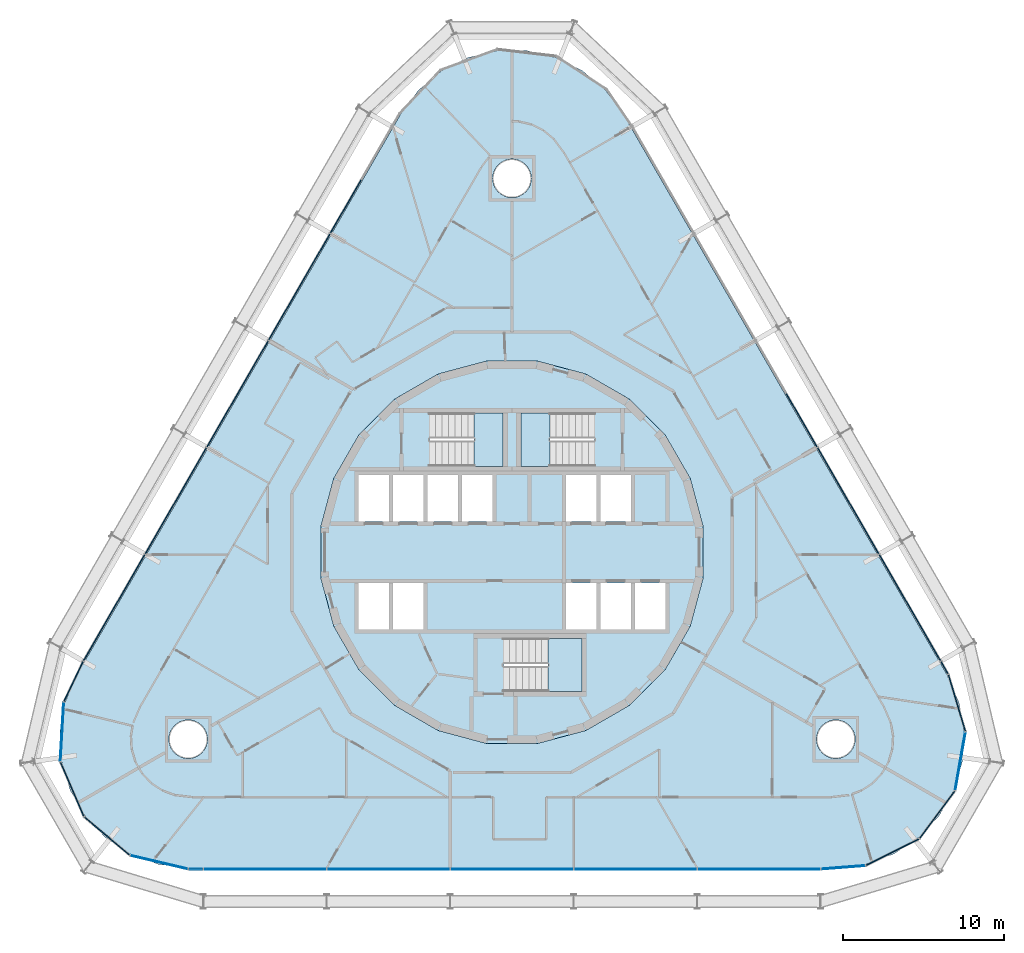
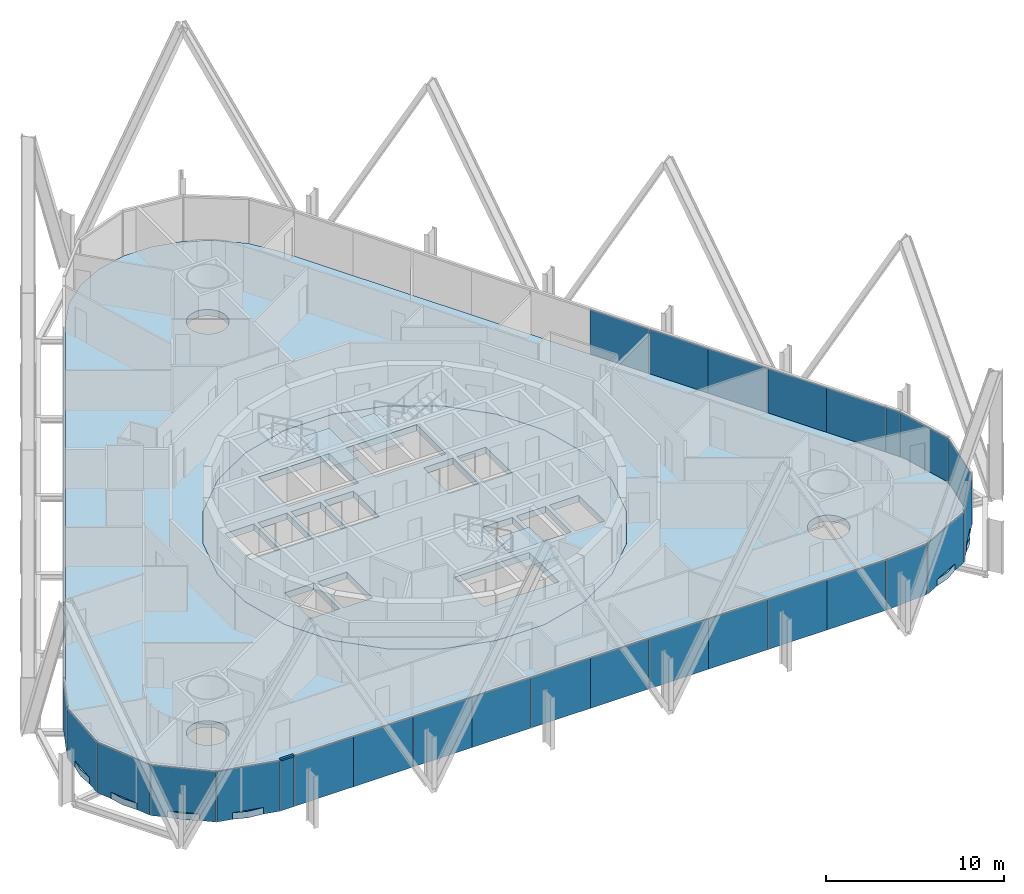
# One storey, part 13 of 21: 36 plates, 5 slabs, 1 member, 8 elements without a shape of their own.
"""IFC4 building model written with IfcOpenShell, lengths in metres."""

from ifc_helpers import new_model, si_unit, direction, frame, origin, origin_2d, place, context, subcontext, project, spatial, polyline, rectangle, outline, extrude, material, layer, layer_set, material_profile, profile_set, type_object, element, aggregate, save


model = new_model("IFC4")

# Units and contexts
model_context = context("Model", 3, precision=1e-05, world=origin(), true_north=direction((0.0, 1.0)))
body_context = subcontext(model_context, "Body", "Model", "MODEL_VIEW")
ifc_project = project(units=[si_unit("LENGTHUNIT", "METRE"), si_unit("AREAUNIT", "SQUARE_METRE"), si_unit("VOLUMEUNIT", "CUBIC_METRE"), si_unit("PLANEANGLEUNIT", "RADIAN"), si_unit("MASSUNIT", "GRAM", prefix="KILO")], contexts=[model_context])

# Site, building, storey
site_placement = place(None, origin())
site = spatial("IfcSite", under=ifc_project, at=site_placement, CompositionType="ELEMENT")
building_placement = place(site_placement, origin())
building = spatial("IfcBuilding", under=site, at=building_placement, Name="Spindle Arch Residences", CompositionType="ELEMENT")
storey_placement = place(building_placement, frame((0.0, 0.0, 38.39990234375)))
storey = spatial("IfcBuildingStorey", under=building, at=storey_placement, Name="L07", CompositionType="ELEMENT", Elevation=38.39990234375)

# Curtain wall, member
ifc_material_1 = material(Name="Aluminium bronze unitised frame with tinted glass", Category="aluminium")
ifc_layer_1 = layer(ifc_material_1, 0.159912109375)
ifc_layer_set_1 = layer_set([ifc_layer_1], Name="CW-D corner wall on the fillet arcs")
curtain_wall_type_1 = type_object("IfcCurtainWallType", Name="CW-D corner wall on the fillet arcs", PredefinedType="NOTDEFINED", material=ifc_layer_set_1)
curtain_wall_1_placement = place(storey_placement, origin())
curtain_wall_1 = element("IfcCurtainWall", 1, at=curtain_wall_1_placement, inside=storey, type_object=curtain_wall_type_1, Name="CW-D L07 run 5", PredefinedType="NOTDEFINED")
ifc_material_2 = material(Name="Aluminium bronze anodised transom", Category="aluminium")
ifc_material_profile = material_profile(ifc_material_2, rectangle(XDim=0.159912109375, YDim=0.1201171875, at=origin_2d()), Name="TR 120x160")
ifc_profile_set = profile_set([ifc_material_profile], Name="Aluminium bronze anodised transom")
member_type = type_object("IfcMemberType", Name="Bronze transom 120x160", PredefinedType="USERDEFINED", material=ifc_profile_set)
member_placement = place(storey_placement, frame((-20.113525390625, -19.7099609375, 3.06005859375), z_axis=(1.0, 0.0, 0.0), x_axis=(0.0, 1.0, 0.0)))
member = element("IfcMember", 2, at=member_placement, type_object=member_type, Name="CW-D transom 05", ObjectType="TRANSOM", PredefinedType="USERDEFINED", context=body_context, shape_type="SweptSolid", body=[
    extrude(rectangle(XDim=0.159912109375, YDim=0.1201171875, at=origin_2d()), origin(), (0.0, 0.0, 1.0), 0.88330078125),
])

# Slabs
ifc_material_3 = material(Name="Concrete C40/50", Category="concrete")
ifc_layer_2 = layer(ifc_material_3, 0.449951171875)
ifc_layer_set_2 = layer_set([ifc_layer_2], Name="Compartment floor slab 450")
slab_type_1 = type_object("IfcSlabType", Name="Compartment floor slab 450", PredefinedType="FLOOR", material=ifc_layer_set_2)
slab_1_placement = place(storey_placement, frame((0.0, 0.0, -0.449951171875)))
element("IfcSlab", 3, at=slab_1_placement, inside=storey, type_object=slab_type_1, Name="Floor slab L07", PredefinedType="FLOOR", context=body_context, shape_type="SweptSolid", body=[
    extrude(outline(polyline([(-21.988525390625, -19.414306640625), (-23.73388671875, -18.779052734375), (-25.285888671875, -17.75830078125), (-26.560546875, -16.4072265625), (-27.4892578125, -14.798583984375), (-28.022216796875, -13.01904296875), (-28.130126953125, -11.164794921875), (-27.8076171875, -9.33544921875), (-27.07177734375, -7.6298828125), (-6.92822265625, 27.259765625), (-5.819091796875, 28.749755859375), (-4.39599609375, 29.943603515625), (-2.736083984375, 30.77734375), (-0.9287109375, 31.205810546875), (0.9287109375, 31.205810546875), (2.736083984375, 30.77734375), (4.39599609375, 29.943603515625), (5.819091796875, 28.749755859375), (6.92822265625, 27.259765625), (27.07177734375, -7.6298828125), (27.8076171875, -9.33544921875), (28.130126953125, -11.164794921875), (28.022216796875, -13.01904296875), (27.4892578125, -14.798583984375), (26.560546875, -16.4072265625), (25.285888671875, -17.75830078125), (23.73388671875, -18.779052734375), (21.988525390625, -19.414306640625), (20.1435546875, -19.6298828125), (0.0, -19.6298828125), (-20.1435546875, -19.6298828125), (-21.988525390625, -19.414306640625)]), holes=[polyline([(7.30517578125, -9.520263671875), (9.520263671875, -7.30517578125), (11.086669921875, -4.59228515625), (11.897216796875, -1.56640625), (11.897216796875, 1.56640625), (11.086669921875, 4.59228515625), (9.520263671875, 7.30517578125), (7.30517578125, 9.520263671875), (4.59228515625, 11.086669921875), (1.56640625, 11.897216796875), (-1.56640625, 11.897216796875), (-4.59228515625, 11.086669921875), (-7.30517578125, 9.520263671875), (-9.520263671875, 7.30517578125), (-11.086669921875, 4.59228515625), (-11.897216796875, 1.56640625), (-11.897216796875, -1.56640625), (-11.086669921875, -4.59228515625), (-9.520263671875, -7.30517578125), (-7.30517578125, -9.520263671875), (-4.59228515625, -11.086669921875), (-1.56640625, -11.897216796875), (1.56640625, -11.897216796875), (4.59228515625, -11.086669921875), (7.30517578125, -9.520263671875)]), polyline([(-19.295166015625, -12.478515625), (-19.145751953125, -12.296630859375), (-19.034912109375, -12.089111328125), (-18.966796875, -11.864013671875), (-18.943603515625, -11.6298828125), (-18.966796875, -11.395751953125), (-19.034912109375, -11.170654296875), (-19.145751953125, -10.963134765625), (-19.295166015625, -10.781494140625), (-19.476806640625, -10.632080078125), (-19.684326171875, -10.521240234375), (-19.909423828125, -10.452880859375), (-20.1435546875, -10.429931640625), (-20.377685546875, -10.452880859375), (-20.602783203125, -10.521240234375), (-20.810302734375, -10.632080078125), (-20.9921875, -10.781494140625), (-21.141357421875, -10.963134765625), (-21.252197265625, -11.170654296875), (-21.320556640625, -11.395751953125), (-21.343505859375, -11.6298828125), (-21.320556640625, -11.864013671875), (-21.252197265625, -12.089111328125), (-21.141357421875, -12.296630859375), (-20.9921875, -12.478515625), (-20.810302734375, -12.627685546875), (-20.602783203125, -12.738525390625), (-20.377685546875, -12.806884765625), (-20.1435546875, -12.829833984375), (-19.909423828125, -12.806884765625), (-19.684326171875, -12.738525390625), (-19.476806640625, -12.627685546875), (-19.295166015625, -12.478515625)]), polyline([(0.848388671875, 22.411376953125), (0.997802734375, 22.593017578125), (1.108642578125, 22.800537109375), (1.177001953125, 23.025634765625), (1.199951171875, 23.259765625), (1.177001953125, 23.493896484375), (1.108642578125, 23.718994140625), (0.997802734375, 23.926513671875), (0.848388671875, 24.1083984375), (0.666748046875, 24.257568359375), (0.459228515625, 24.368408203125), (0.234130859375, 24.436767578125), (0.0, 24.459716796875), (-0.234130859375, 24.436767578125), (-0.459228515625, 24.368408203125), (-0.666748046875, 24.257568359375), (-0.848388671875, 24.1083984375), (-0.997802734375, 23.926513671875), (-1.108642578125, 23.718994140625), (-1.177001953125, 23.493896484375), (-1.199951171875, 23.259765625), (-1.177001953125, 23.025634765625), (-1.108642578125, 22.800537109375), (-0.997802734375, 22.593017578125), (-0.848388671875, 22.411376953125), (-0.666748046875, 22.261962890625), (-0.459228515625, 22.151123046875), (-0.234130859375, 22.0830078125), (0.0, 22.059814453125), (0.234130859375, 22.0830078125), (0.459228515625, 22.151123046875), (0.666748046875, 22.261962890625), (0.848388671875, 22.411376953125)]), polyline([(20.9921875, -12.478515625), (21.141357421875, -12.296630859375), (21.252197265625, -12.089111328125), (21.320556640625, -11.864013671875), (21.343505859375, -11.6298828125), (21.320556640625, -11.395751953125), (21.252197265625, -11.170654296875), (21.141357421875, -10.963134765625), (20.9921875, -10.781494140625), (20.810302734375, -10.632080078125), (20.602783203125, -10.521240234375), (20.377685546875, -10.452880859375), (20.1435546875, -10.429931640625), (19.909423828125, -10.452880859375), (19.684326171875, -10.521240234375), (19.476806640625, -10.632080078125), (19.295166015625, -10.781494140625), (19.145751953125, -10.963134765625), (19.034912109375, -11.170654296875), (18.966796875, -11.395751953125), (18.943603515625, -11.6298828125), (18.966796875, -11.864013671875), (19.034912109375, -12.089111328125), (19.145751953125, -12.296630859375), (19.295166015625, -12.478515625), (19.476806640625, -12.627685546875), (19.684326171875, -12.738525390625), (19.909423828125, -12.806884765625), (20.1435546875, -12.829833984375), (20.377685546875, -12.806884765625), (20.602783203125, -12.738525390625), (20.810302734375, -12.627685546875), (20.9921875, -12.478515625)])]), origin(), (0.0, 0.0, 1.0), 0.449951171875),
])
ifc_material_4 = material(Name="Concrete C50/60", Category="concrete")
ifc_layer_3 = layer(ifc_material_4, 0.449951171875)
ifc_layer_set_3 = layer_set([ifc_layer_3], Name="Core floor slab 450")
slab_type_2 = type_object("IfcSlabType", Name="Core floor slab 450", PredefinedType="FLOOR", material=ifc_layer_set_3)
slab_2_placement = place(storey_placement, frame((0.0, 0.0, -0.449951171875)))
element("IfcSlab", 4, at=slab_2_placement, inside=storey, type_object=slab_type_2, Name="Core floor L07", PredefinedType="FLOOR", context=body_context, shape_type="SweptSolid", body=[
    extrude(outline(polyline([(1.56640625, -11.897216796875), (4.59228515625, -11.086669921875), (7.30517578125, -9.520263671875), (9.520263671875, -7.30517578125), (11.086669921875, -4.59228515625), (11.897216796875, -1.56640625), (11.897216796875, 1.56640625), (11.086669921875, 4.59228515625), (9.520263671875, 7.30517578125), (7.30517578125, 9.520263671875), (4.59228515625, 11.086669921875), (1.56640625, 11.897216796875), (-1.56640625, 11.897216796875), (-4.59228515625, 11.086669921875), (-7.30517578125, 9.520263671875), (-9.520263671875, 7.30517578125), (-11.086669921875, 4.59228515625), (-11.897216796875, 1.56640625), (-11.897216796875, -1.56640625), (-11.086669921875, -4.59228515625), (-9.520263671875, -7.30517578125), (-7.30517578125, -9.520263671875), (-4.59228515625, -11.086669921875), (-1.56640625, -11.897216796875), (1.56640625, -11.897216796875)]), holes=[polyline([(-9.550048828125, 1.89990234375), (-7.64990234375, 1.89990234375), (-7.64990234375, 4.800048828125), (-9.550048828125, 4.800048828125), (-9.550048828125, 1.89990234375)]), polyline([(-7.39990234375, 1.89990234375), (-5.5, 1.89990234375), (-5.5, 4.800048828125), (-7.39990234375, 4.800048828125), (-7.39990234375, 1.89990234375)]), polyline([(-5.25, 1.89990234375), (-3.35009765625, 1.89990234375), (-3.35009765625, 4.800048828125), (-5.25, 4.800048828125), (-5.25, 1.89990234375)]), polyline([(-3.10009765625, 1.89990234375), (-1.199951171875, 1.89990234375), (-1.199951171875, 4.800048828125), (-3.10009765625, 4.800048828125), (-3.10009765625, 1.89990234375)]), polyline([(3.35009765625, 1.89990234375), (5.25, 1.89990234375), (5.25, 4.800048828125), (3.35009765625, 4.800048828125), (3.35009765625, 1.89990234375)]), polyline([(5.5, 1.89990234375), (7.39990234375, 1.89990234375), (7.39990234375, 4.800048828125), (5.5, 4.800048828125), (5.5, 1.89990234375)]), polyline([(-9.550048828125, -4.800048828125), (-7.64990234375, -4.800048828125), (-7.64990234375, -1.89990234375), (-9.550048828125, -1.89990234375), (-9.550048828125, -4.800048828125)]), polyline([(-7.39990234375, -4.800048828125), (-5.5, -4.800048828125), (-5.5, -1.89990234375), (-7.39990234375, -1.89990234375), (-7.39990234375, -4.800048828125)]), polyline([(3.35009765625, -4.800048828125), (5.25, -4.800048828125), (5.25, -1.89990234375), (3.35009765625, -1.89990234375), (3.35009765625, -4.800048828125)]), polyline([(5.5, -4.800048828125), (7.39990234375, -4.800048828125), (7.39990234375, -1.89990234375), (5.5, -1.89990234375), (5.5, -4.800048828125)]), polyline([(7.64990234375, -4.800048828125), (9.550048828125, -4.800048828125), (9.550048828125, -1.89990234375), (7.64990234375, -1.89990234375), (7.64990234375, -4.800048828125)]), polyline([(5.1298828125, 8.669921875), (0.550048828125, 8.669921875), (0.550048828125, 5.35009765625), (5.1298828125, 5.35009765625), (5.1298828125, 8.669921875)]), polyline([(-5.1298828125, 5.35009765625), (-0.550048828125, 5.35009765625), (-0.550048828125, 8.669921875), (-5.1298828125, 8.669921875), (-5.1298828125, 5.35009765625)]), polyline([(-0.530029296875, -8.669921875), (4.35009765625, -8.669921875), (4.35009765625, -5.35009765625), (-0.530029296875, -5.35009765625), (-0.530029296875, -8.669921875)])]), origin(), (0.0, 0.0, 1.0), 0.449951171875),
])

# Stair, slab
ifc_material_5 = material(Name="Concrete C50/60", Category="concrete")
stair_type = type_object("IfcStairType", Name="Exit stair 16 risers", PredefinedType="HALF_TURN_STAIR", material=ifc_material_5)
stair_1_placement = place(storey_placement, origin())
stair_1 = element("IfcStair", 5, at=stair_1_placement, inside=storey, type_object=stair_type, Name="L07 Exit stair ST1", PredefinedType="HALF_TURN_STAIR")
ifc_material_6 = material(Name="Concrete C50/60", Category="concrete")
ifc_layer_4 = layer(ifc_material_6, 0.219970703125)
ifc_layer_set_4 = layer_set([ifc_layer_4], Name="Exit stair landing 220")
slab_type_3 = type_object("IfcSlabType", Name="Exit stair landing 220", PredefinedType="LANDING", material=ifc_layer_set_4)
slab_3_placement = place(storey_placement, frame((0.0, 0.0, 1.530029296875)))
slab_3 = element("IfcSlab", 6, at=slab_3_placement, type_object=slab_type_3, Name="ST1 landing 1", PredefinedType="LANDING", context=body_context, shape_type="SweptSolid", body=[
    extrude(outline(polyline([(2.3701171875, 8.669921875), (0.550048828125, 8.669921875), (0.550048828125, 5.35009765625), (2.3701171875, 5.35009765625), (2.3701171875, 8.669921875)])), origin(), (0.0, 0.0, 1.0), 0.219970703125),
])
aggregate(stair_1, [slab_3])

stair_2_placement = place(storey_placement, origin())
stair_2 = element("IfcStair", 7, at=stair_2_placement, inside=storey, type_object=stair_type, Name="L07 Exit stair ST2", PredefinedType="HALF_TURN_STAIR")
slab_4_placement = place(storey_placement, frame((0.0, 0.0, 1.530029296875)))
slab_4 = element("IfcSlab", 8, at=slab_4_placement, type_object=slab_type_3, Name="ST2 landing 1", PredefinedType="LANDING", context=body_context, shape_type="SweptSolid", body=[
    extrude(outline(polyline([(-2.3701171875, 5.35009765625), (-0.550048828125, 5.35009765625), (-0.550048828125, 8.669921875), (-2.3701171875, 8.669921875), (-2.3701171875, 5.35009765625)])), origin(), (0.0, 0.0, 1.0), 0.219970703125),
])
aggregate(stair_2, [slab_4])

stair_3_placement = place(storey_placement, origin())
stair_3 = element("IfcStair", 9, at=stair_3_placement, inside=storey, type_object=stair_type, Name="L07 Exit stair ST3", PredefinedType="HALF_TURN_STAIR")
slab_5_placement = place(storey_placement, frame((0.0, 0.0, 1.530029296875)))
slab_5 = element("IfcSlab", 10, at=slab_5_placement, type_object=slab_type_3, Name="ST3 landing 1", PredefinedType="LANDING", context=body_context, shape_type="SweptSolid", body=[
    extrude(outline(polyline([(2.22998046875, -8.669921875), (4.35009765625, -8.669921875), (4.35009765625, -5.35009765625), (2.22998046875, -5.35009765625), (2.22998046875, -8.669921875)])), origin(), (0.0, 0.0, 1.0), 0.219970703125),
])
aggregate(stair_3, [slab_5])

# Curtain wall, plates
curtain_wall_2_placement = place(storey_placement, origin())
curtain_wall_2 = element("IfcCurtainWall", 11, at=curtain_wall_2_placement, inside=storey, type_object=curtain_wall_type_1, Name="CW-D L07 run 1", PredefinedType="NOTDEFINED")
ifc_material_7 = material(Name="Tinted double glazing over aluminium faced non-combustible spandrel zone (K0)", Category="aluminium")
ifc_layer_5 = layer(ifc_material_7, 0.06005859375)
ifc_layer_set_5 = layer_set([ifc_layer_5], Name="Unitised glass panel with E 60 spandrel zone")
plate_type = type_object("IfcPlateType", Name="Unitised glass panel with E 60 spandrel zone", PredefinedType="CURTAIN_PANEL", material=ifc_layer_set_5)
plate_1_placement = place(storey_placement, frame((20.603515625, -19.60107421875, -0.44970703125), z_axis=(0.0, 0.0, 1.0), x_axis=(0.997002907861, 0.077364085451, 0.0)))
plate_1 = element("IfcPlate", 12, at=plate_1_placement, type_object=plate_type, Name="CW-D unit 00", PredefinedType="CURTAIN_PANEL", context=body_context, shape_type="SweptSolid", body=[
    extrude(rectangle(XDim=2.755126953125, YDim=0.06005859375, at=origin_2d()), origin(), (0.0, 0.0, 1.0), 3.449951171875),
])
plate_2_placement = place(storey_placement, frame((23.672119140625, -18.65576171875, -0.44970703125), z_axis=(0.0, 0.0, 1.0), x_axis=(0.893632642326, 0.448799176213, 0.0)))
plate_2 = element("IfcPlate", 13, at=plate_2_placement, type_object=plate_type, Name="CW-D unit 01", PredefinedType="CURTAIN_PANEL", context=body_context, shape_type="SweptSolid", body=[
    extrude(rectangle(XDim=3.666748046875, YDim=0.06005859375, at=origin_2d()), origin(), (0.0, 0.0, 1.0), 3.449951171875),
])
plate_3_placement = place(storey_placement, frame((26.449951171875, -16.324951171875, -0.44970703125), z_axis=(0.0, 0.0, 1.0), x_axis=(0.597158595823, 0.802123189687, 0.0)))
plate_3 = element("IfcPlate", 14, at=plate_3_placement, type_object=plate_type, Name="CW-D unit 02", PredefinedType="CURTAIN_PANEL", context=body_context, shape_type="SweptSolid", body=[
    extrude(rectangle(XDim=3.666748046875, YDim=0.06005859375, at=origin_2d()), origin(), (0.0, 0.0, 1.0), 3.449951171875),
])
plate_4_placement = place(storey_placement, frame((27.88623046875, -12.9951171875, -0.44970703125), z_axis=(0.0, 0.0, 1.0), x_axis=(0.173648181019, 0.984807752421, 0.0)))
plate_4 = element("IfcPlate", 15, at=plate_4_placement, type_object=plate_type, Name="CW-D unit 03", PredefinedType="CURTAIN_PANEL", context=body_context, shape_type="SweptSolid", body=[
    extrude(rectangle(XDim=3.666748046875, YDim=0.06005859375, at=origin_2d()), origin(), (0.0, 0.0, 1.0), 3.449951171875),
])
plate_5_placement = place(storey_placement, frame((27.675537109375, -9.375, -0.44970703125), z_axis=(0.0, 0.0, 1.0), x_axis=(-0.28680323051, 0.957989512975, 0.0)))
plate_5 = element("IfcPlate", 16, at=plate_5_placement, type_object=plate_type, Name="CW-D unit 04", PredefinedType="CURTAIN_PANEL", context=body_context, shape_type="SweptSolid", body=[
    extrude(rectangle(XDim=3.666748046875, YDim=0.06005859375, at=origin_2d()), origin(), (0.0, 0.0, 1.0), 3.449951171875),
])
plate_6_placement = place(storey_placement, frame((26.9052734375, -7.181396484375, -0.44970703125), z_axis=(0.0, 0.0, 1.0), x_axis=(-0.5, 0.866025403784, 0.0)))
plate_6 = element("IfcPlate", 17, at=plate_6_placement, type_object=plate_type, Name="CW-D unit 05", PredefinedType="CURTAIN_PANEL", context=body_context, shape_type="SweptSolid", body=[
    extrude(rectangle(XDim=0.88330078125, YDim=0.06005859375, at=origin_2d()), origin(), (0.0, 0.0, 1.0), 3.449951171875),
])
aggregate(curtain_wall_2, [plate_1, plate_2, plate_3, plate_4, plate_5, plate_6])

ifc_material_8 = material(Name="Aluminium bronze unitised frame with tinted glass", Category="aluminium")
ifc_layer_6 = layer(ifc_material_8, 0.159912109375)
ifc_layer_set_6 = layer_set([ifc_layer_6], Name="CW-C typical residential unitised wall")
curtain_wall_type_2 = type_object("IfcCurtainWallType", Name="CW-C typical residential unitised wall", PredefinedType="NOTDEFINED", material=ifc_layer_set_6)
curtain_wall_3_placement = place(storey_placement, origin())
curtain_wall_3 = element("IfcCurtainWall", 18, at=curtain_wall_3_placement, inside=storey, type_object=curtain_wall_type_2, Name="CW-C L07 run 2", PredefinedType="NOTDEFINED")
plate_7_placement = place(storey_placement, frame((25.701904296875, -5.09716796875, -0.44970703125), z_axis=(0.0, 0.0, 1.0), x_axis=(-0.5, 0.866025403784, 0.0)))
plate_7 = element("IfcPlate", 19, at=plate_7_placement, type_object=plate_type, Name="CW-C unit 05A", PredefinedType="CURTAIN_PANEL", context=body_context, shape_type="SweptSolid", body=[
    extrude(rectangle(XDim=3.81005859375, YDim=0.06005859375, at=origin_2d()), origin(), (0.0, 0.0, 1.0), 3.449951171875),
])
plate_8_placement = place(storey_placement, frame((23.796875, -1.797607421875, -0.44970703125), z_axis=(0.0, 0.0, 1.0), x_axis=(-0.5, 0.866025403784, 0.0)))
plate_8 = element("IfcPlate", 20, at=plate_8_placement, type_object=plate_type, Name="CW-C unit 05B", PredefinedType="CURTAIN_PANEL", context=body_context, shape_type="SweptSolid", body=[
    extrude(rectangle(XDim=3.81005859375, YDim=0.06005859375, at=origin_2d()), origin(), (0.0, 0.0, 1.0), 3.449951171875),
])
plate_9_placement = place(storey_placement, frame((21.86181640625, 1.553955078125, -0.44970703125), z_axis=(0.0, 0.0, 1.0), x_axis=(-0.5, 0.866025403784, 0.0)))
plate_9 = element("IfcPlate", 21, at=plate_9_placement, type_object=plate_type, Name="CW-C unit 06A", PredefinedType="CURTAIN_PANEL", context=body_context, shape_type="SweptSolid", body=[
    extrude(rectangle(XDim=3.81005859375, YDim=0.06005859375, at=origin_2d()), origin(), (0.0, 0.0, 1.0), 3.449951171875),
])
plate_10_placement = place(storey_placement, frame((19.956787109375, 4.853515625, -0.44970703125), z_axis=(0.0, 0.0, 1.0), x_axis=(-0.5, 0.866025403784, 0.0)))
plate_10 = element("IfcPlate", 22, at=plate_10_placement, type_object=plate_type, Name="CW-C unit 06B", PredefinedType="CURTAIN_PANEL", context=body_context, shape_type="SweptSolid", body=[
    extrude(rectangle(XDim=3.81005859375, YDim=0.06005859375, at=origin_2d()), origin(), (0.0, 0.0, 1.0), 3.449951171875),
])
plate_11_placement = place(storey_placement, frame((18.021728515625, 8.205078125, -0.44970703125), z_axis=(0.0, 0.0, 1.0), x_axis=(-0.5, 0.866025403784, 0.0)))
plate_11 = element("IfcPlate", 23, at=plate_11_placement, type_object=plate_type, Name="CW-C unit 07A", PredefinedType="CURTAIN_PANEL", context=body_context, shape_type="SweptSolid", body=[
    extrude(rectangle(XDim=3.81005859375, YDim=0.06005859375, at=origin_2d()), origin(), (0.0, 0.0, 1.0), 3.449951171875),
])
aggregate(curtain_wall_3, [plate_7, plate_8, plate_9, plate_10, plate_11])

curtain_wall_4_placement = place(storey_placement, origin())
curtain_wall_4 = element("IfcCurtainWall", 24, at=curtain_wall_4_placement, inside=storey, type_object=curtain_wall_type_2, Name="CW-C L07 run 4", PredefinedType="NOTDEFINED")
plate_12_placement = place(storey_placement, frame((-10.341796875, 21.50732421875, -0.44970703125), z_axis=(0.0, 0.0, 1.0), x_axis=(-0.5, -0.866025403784, 0.0)))
plate_12 = element("IfcPlate", 25, at=plate_12_placement, type_object=plate_type, Name="CW-C unit 13B", PredefinedType="CURTAIN_PANEL", context=body_context, shape_type="SweptSolid", body=[
    extrude(rectangle(XDim=3.81005859375, YDim=0.06005859375, at=origin_2d()), origin(), (0.0, 0.0, 1.0), 3.449951171875),
])
plate_13_placement = place(storey_placement, frame((-12.27685546875, 18.156005859375, -0.44970703125), z_axis=(0.0, 0.0, 1.0), x_axis=(-0.5, -0.866025403784, 0.0)))
plate_13 = element("IfcPlate", 26, at=plate_13_placement, type_object=plate_type, Name="CW-C unit 14A", PredefinedType="CURTAIN_PANEL", context=body_context, shape_type="SweptSolid", body=[
    extrude(rectangle(XDim=3.81005859375, YDim=0.06005859375, at=origin_2d()), origin(), (0.0, 0.0, 1.0), 3.449951171875),
])
plate_14_placement = place(storey_placement, frame((-14.181640625, 14.856201171875, -0.44970703125), z_axis=(0.0, 0.0, 1.0), x_axis=(-0.5, -0.866025403784, 0.0)))
plate_14 = element("IfcPlate", 27, at=plate_14_placement, type_object=plate_type, Name="CW-C unit 14B", PredefinedType="CURTAIN_PANEL", context=body_context, shape_type="SweptSolid", body=[
    extrude(rectangle(XDim=3.81005859375, YDim=0.06005859375, at=origin_2d()), origin(), (0.0, 0.0, 1.0), 3.449951171875),
])
plate_15_placement = place(storey_placement, frame((-16.11669921875, 11.504638671875, -0.44970703125), z_axis=(0.0, 0.0, 1.0), x_axis=(-0.5, -0.866025403784, 0.0)))
plate_15 = element("IfcPlate", 28, at=plate_15_placement, type_object=plate_type, Name="CW-C unit 15A", PredefinedType="CURTAIN_PANEL", context=body_context, shape_type="SweptSolid", body=[
    extrude(rectangle(XDim=3.81005859375, YDim=0.06005859375, at=origin_2d()), origin(), (0.0, 0.0, 1.0), 3.449951171875),
])
plate_16_placement = place(storey_placement, frame((-18.021728515625, 8.205078125, -0.44970703125), z_axis=(0.0, 0.0, 1.0), x_axis=(-0.5, -0.866025403784, 0.0)))
plate_16 = element("IfcPlate", 29, at=plate_16_placement, type_object=plate_type, Name="CW-C unit 15B", PredefinedType="CURTAIN_PANEL", context=body_context, shape_type="SweptSolid", body=[
    extrude(rectangle(XDim=3.81005859375, YDim=0.06005859375, at=origin_2d()), origin(), (0.0, 0.0, 1.0), 3.449951171875),
])
plate_17_placement = place(storey_placement, frame((-19.956787109375, 4.853515625, -0.44970703125), z_axis=(0.0, 0.0, 1.0), x_axis=(-0.5, -0.866025403784, 0.0)))
plate_17 = element("IfcPlate", 30, at=plate_17_placement, type_object=plate_type, Name="CW-C unit 16A", PredefinedType="CURTAIN_PANEL", context=body_context, shape_type="SweptSolid", body=[
    extrude(rectangle(XDim=3.81005859375, YDim=0.06005859375, at=origin_2d()), origin(), (0.0, 0.0, 1.0), 3.449951171875),
])
plate_18_placement = place(storey_placement, frame((-21.86181640625, 1.553955078125, -0.44970703125), z_axis=(0.0, 0.0, 1.0), x_axis=(-0.5, -0.866025403784, 0.0)))
plate_18 = element("IfcPlate", 31, at=plate_18_placement, type_object=plate_type, Name="CW-C unit 16B", PredefinedType="CURTAIN_PANEL", context=body_context, shape_type="SweptSolid", body=[
    extrude(rectangle(XDim=3.81005859375, YDim=0.06005859375, at=origin_2d()), origin(), (0.0, 0.0, 1.0), 3.449951171875),
])
plate_19_placement = place(storey_placement, frame((-23.796875, -1.797607421875, -0.44970703125), z_axis=(0.0, 0.0, 1.0), x_axis=(-0.5, -0.866025403784, 0.0)))
plate_19 = element("IfcPlate", 32, at=plate_19_placement, type_object=plate_type, Name="CW-C unit 17A", PredefinedType="CURTAIN_PANEL", context=body_context, shape_type="SweptSolid", body=[
    extrude(rectangle(XDim=3.81005859375, YDim=0.06005859375, at=origin_2d()), origin(), (0.0, 0.0, 1.0), 3.449951171875),
])
plate_20_placement = place(storey_placement, frame((-25.701904296875, -5.09716796875, -0.44970703125), z_axis=(0.0, 0.0, 1.0), x_axis=(-0.5, -0.866025403784, 0.0)))
plate_20 = element("IfcPlate", 33, at=plate_20_placement, type_object=plate_type, Name="CW-C unit 17B", PredefinedType="CURTAIN_PANEL", context=body_context, shape_type="SweptSolid", body=[
    extrude(rectangle(XDim=3.81005859375, YDim=0.06005859375, at=origin_2d()), origin(), (0.0, 0.0, 1.0), 3.449951171875),
])
aggregate(curtain_wall_4, [plate_12, plate_13, plate_14, plate_15, plate_16, plate_17, plate_18, plate_19, plate_20])

# Plate
plate_21_placement = place(storey_placement, frame((-27.27685546875, -8.042724609375, -0.44970703125), z_axis=(0.0, 0.0, 1.0), x_axis=(-0.431502189519, -0.902111889092, 0.0)))
plate_21 = element("IfcPlate", 34, at=plate_21_placement, type_object=plate_type, Name="CW-D unit 00", PredefinedType="CURTAIN_PANEL", context=body_context, shape_type="SweptSolid", body=[
    extrude(rectangle(XDim=2.755126953125, YDim=0.06005859375, at=origin_2d()), origin(), (0.0, 0.0, 1.0), 3.449951171875),
])

plate_22_placement = place(storey_placement, frame((-27.992431640625, -11.1728515625, -0.44970703125), z_axis=(0.0, 0.0, 1.0), x_axis=(-0.058144829968, -0.99830815821, 0.0)))
plate_22 = element("IfcPlate", 35, at=plate_22_placement, type_object=plate_type, Name="CW-D unit 01", PredefinedType="CURTAIN_PANEL", context=body_context, shape_type="SweptSolid", body=[
    extrude(rectangle(XDim=3.666748046875, YDim=0.06005859375, at=origin_2d()), origin(), (0.0, 0.0, 1.0), 3.449951171875),
])

plate_23_placement = place(storey_placement, frame((-27.36279296875, -14.743896484375, -0.44970703125), z_axis=(0.0, 0.0, 1.0), x_axis=(0.396079766691, -0.918216106599, 0.0)))
plate_23 = element("IfcPlate", 36, at=plate_23_placement, type_object=plate_type, Name="CW-D unit 02", PredefinedType="CURTAIN_PANEL", context=body_context, shape_type="SweptSolid", body=[
    extrude(rectangle(XDim=3.666748046875, YDim=0.06005859375, at=origin_2d()), origin(), (0.0, 0.0, 1.0), 3.449951171875),
])

plate_24_placement = place(storey_placement, frame((-25.197265625, -17.652587890625, -0.44970703125), z_axis=(0.0, 0.0, 1.0), x_axis=(0.766044445239, -0.64278760716, 0.0)))
plate_24 = element("IfcPlate", 37, at=plate_24_placement, type_object=plate_type, Name="CW-D unit 03", PredefinedType="CURTAIN_PANEL", context=body_context, shape_type="SweptSolid", body=[
    extrude(rectangle(XDim=3.666748046875, YDim=0.06005859375, at=origin_2d()), origin(), (0.0, 0.0, 1.0), 3.449951171875),
])

plate_25_placement = place(storey_placement, frame((-21.956787109375, -19.2802734375, -0.44970703125), z_axis=(0.0, 0.0, 1.0), x_axis=(0.973044871028, -0.230615868852, 0.0)))
plate_25 = element("IfcPlate", 38, at=plate_25_placement, type_object=plate_type, Name="CW-D unit 04", PredefinedType="CURTAIN_PANEL", context=body_context, shape_type="SweptSolid", body=[
    extrude(rectangle(XDim=3.666748046875, YDim=0.06005859375, at=origin_2d()), origin(), (0.0, 0.0, 1.0), 3.449951171875),
])

plate_26_placement = place(storey_placement, frame((-19.671875, -19.7099609375, -0.44970703125), z_axis=(0.0, 0.0, 1.0), x_axis=(1.0, 0.0, 0.0)))
plate_26 = element("IfcPlate", 39, at=plate_26_placement, type_object=plate_type, Name="CW-D unit 05", PredefinedType="CURTAIN_PANEL", context=body_context, shape_type="SweptSolid", body=[
    extrude(rectangle(XDim=0.88330078125, YDim=0.06005859375, at=origin_2d()), origin(), (0.0, 0.0, 1.0), 3.449951171875),
])

aggregate(curtain_wall_1, [plate_21, plate_22, plate_23, plate_24, plate_25, member, plate_26])

# Curtain wall, plates
curtain_wall_5_placement = place(storey_placement, origin())
curtain_wall_5 = element("IfcCurtainWall", 40, at=curtain_wall_5_placement, inside=storey, type_object=curtain_wall_type_2, Name="CW-C L07 run 6", PredefinedType="NOTDEFINED")
plate_27_placement = place(storey_placement, frame((-17.26513671875, -19.7099609375, -0.44970703125), z_axis=(0.0, 0.0, 1.0), x_axis=(1.0, 0.0, 0.0)))
plate_27 = element("IfcPlate", 41, at=plate_27_placement, type_object=plate_type, Name="CW-C unit 21A", PredefinedType="CURTAIN_PANEL", context=body_context, shape_type="SweptSolid", body=[
    extrude(rectangle(XDim=3.81005859375, YDim=0.06005859375, at=origin_2d()), origin(), (0.0, 0.0, 1.0), 3.449951171875),
])
plate_28_placement = place(storey_placement, frame((-13.455078125, -19.7099609375, -0.44970703125), z_axis=(0.0, 0.0, 1.0), x_axis=(1.0, 0.0, 0.0)))
plate_28 = element("IfcPlate", 42, at=plate_28_placement, type_object=plate_type, Name="CW-C unit 21B", PredefinedType="CURTAIN_PANEL", context=body_context, shape_type="SweptSolid", body=[
    extrude(rectangle(XDim=3.81005859375, YDim=0.06005859375, at=origin_2d()), origin(), (0.0, 0.0, 1.0), 3.449951171875),
])
plate_29_placement = place(storey_placement, frame((-9.585205078125, -19.7099609375, -0.44970703125), z_axis=(0.0, 0.0, 1.0), x_axis=(1.0, 0.0, 0.0)))
plate_29 = element("IfcPlate", 43, at=plate_29_placement, type_object=plate_type, Name="CW-C unit 22A", PredefinedType="CURTAIN_PANEL", context=body_context, shape_type="SweptSolid", body=[
    extrude(rectangle(XDim=3.81005859375, YDim=0.06005859375, at=origin_2d()), origin(), (0.0, 0.0, 1.0), 3.449951171875),
])
plate_30_placement = place(storey_placement, frame((-5.775146484375, -19.7099609375, -0.44970703125), z_axis=(0.0, 0.0, 1.0), x_axis=(1.0, 0.0, 0.0)))
plate_30 = element("IfcPlate", 44, at=plate_30_placement, type_object=plate_type, Name="CW-C unit 22B", PredefinedType="CURTAIN_PANEL", context=body_context, shape_type="SweptSolid", body=[
    extrude(rectangle(XDim=3.81005859375, YDim=0.06005859375, at=origin_2d()), origin(), (0.0, 0.0, 1.0), 3.449951171875),
])
plate_31_placement = place(storey_placement, frame((-1.905029296875, -19.7099609375, -0.44970703125), z_axis=(0.0, 0.0, 1.0), x_axis=(1.0, 0.0, 0.0)))
plate_31 = element("IfcPlate", 45, at=plate_31_placement, type_object=plate_type, Name="CW-C unit 23A", PredefinedType="CURTAIN_PANEL", context=body_context, shape_type="SweptSolid", body=[
    extrude(rectangle(XDim=3.81005859375, YDim=0.06005859375, at=origin_2d()), origin(), (0.0, 0.0, 1.0), 3.449951171875),
])
plate_32_placement = place(storey_placement, frame((1.905029296875, -19.7099609375, -0.44970703125), z_axis=(0.0, 0.0, 1.0), x_axis=(1.0, 0.0, 0.0)))
plate_32 = element("IfcPlate", 46, at=plate_32_placement, type_object=plate_type, Name="CW-C unit 23B", PredefinedType="CURTAIN_PANEL", context=body_context, shape_type="SweptSolid", body=[
    extrude(rectangle(XDim=3.81005859375, YDim=0.06005859375, at=origin_2d()), origin(), (0.0, 0.0, 1.0), 3.449951171875),
])
plate_33_placement = place(storey_placement, frame((5.775146484375, -19.7099609375, -0.44970703125), z_axis=(0.0, 0.0, 1.0), x_axis=(1.0, 0.0, 0.0)))
plate_33 = element("IfcPlate", 47, at=plate_33_placement, type_object=plate_type, Name="CW-C unit 00A", PredefinedType="CURTAIN_PANEL", context=body_context, shape_type="SweptSolid", body=[
    extrude(rectangle(XDim=3.81005859375, YDim=0.06005859375, at=origin_2d()), origin(), (0.0, 0.0, 1.0), 3.449951171875),
])
plate_34_placement = place(storey_placement, frame((9.585205078125, -19.7099609375, -0.44970703125), z_axis=(0.0, 0.0, 1.0), x_axis=(1.0, 0.0, 0.0)))
plate_34 = element("IfcPlate", 48, at=plate_34_placement, type_object=plate_type, Name="CW-C unit 00B", PredefinedType="CURTAIN_PANEL", context=body_context, shape_type="SweptSolid", body=[
    extrude(rectangle(XDim=3.81005859375, YDim=0.06005859375, at=origin_2d()), origin(), (0.0, 0.0, 1.0), 3.449951171875),
])
plate_35_placement = place(storey_placement, frame((13.455078125, -19.7099609375, -0.44970703125), z_axis=(0.0, 0.0, 1.0), x_axis=(1.0, 0.0, 0.0)))
plate_35 = element("IfcPlate", 49, at=plate_35_placement, type_object=plate_type, Name="CW-C unit 01A", PredefinedType="CURTAIN_PANEL", context=body_context, shape_type="SweptSolid", body=[
    extrude(rectangle(XDim=3.81005859375, YDim=0.06005859375, at=origin_2d()), origin(), (0.0, 0.0, 1.0), 3.449951171875),
])
plate_36_placement = place(storey_placement, frame((17.26513671875, -19.7099609375, -0.44970703125), z_axis=(0.0, 0.0, 1.0), x_axis=(1.0, 0.0, 0.0)))
plate_36 = element("IfcPlate", 50, at=plate_36_placement, type_object=plate_type, Name="CW-C unit 01B", PredefinedType="CURTAIN_PANEL", context=body_context, shape_type="SweptSolid", body=[
    extrude(rectangle(XDim=3.81005859375, YDim=0.06005859375, at=origin_2d()), origin(), (0.0, 0.0, 1.0), 3.449951171875),
])
aggregate(curtain_wall_5, [plate_27, plate_28, plate_29, plate_30, plate_31, plate_32, plate_33, plate_34, plate_35, plate_36])

save(model, "model.ifc")
